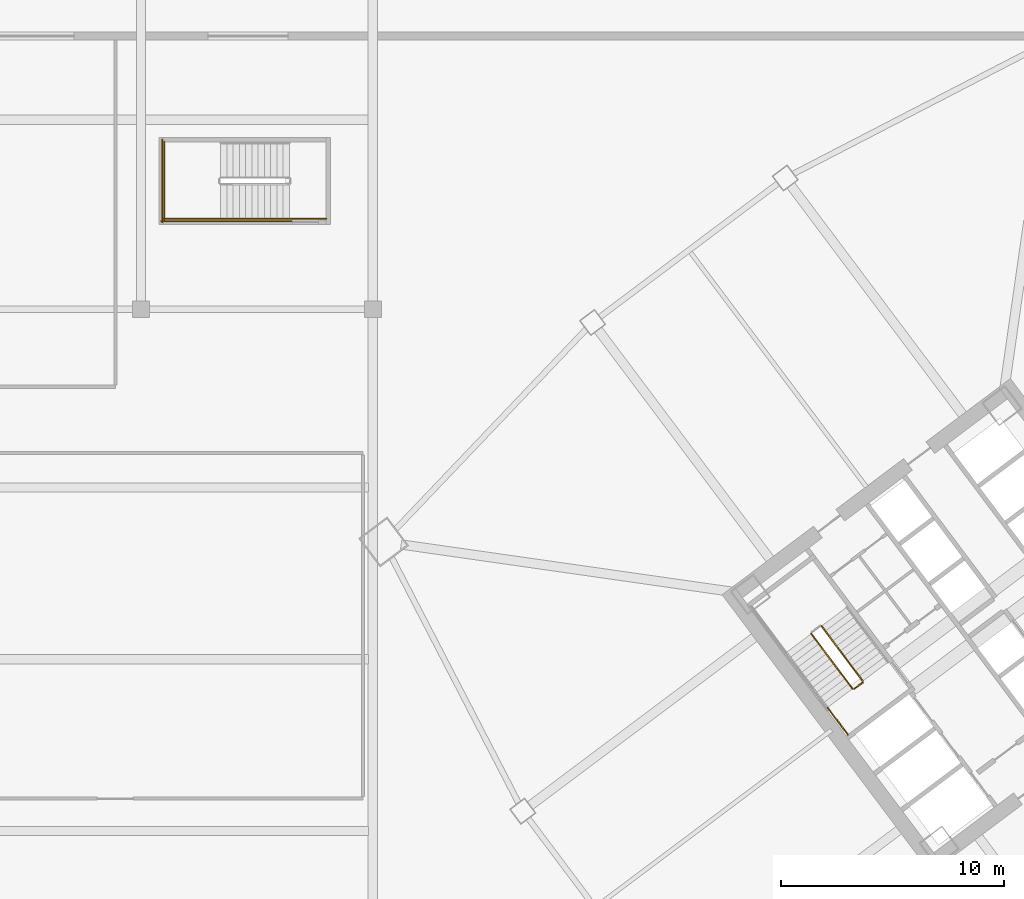
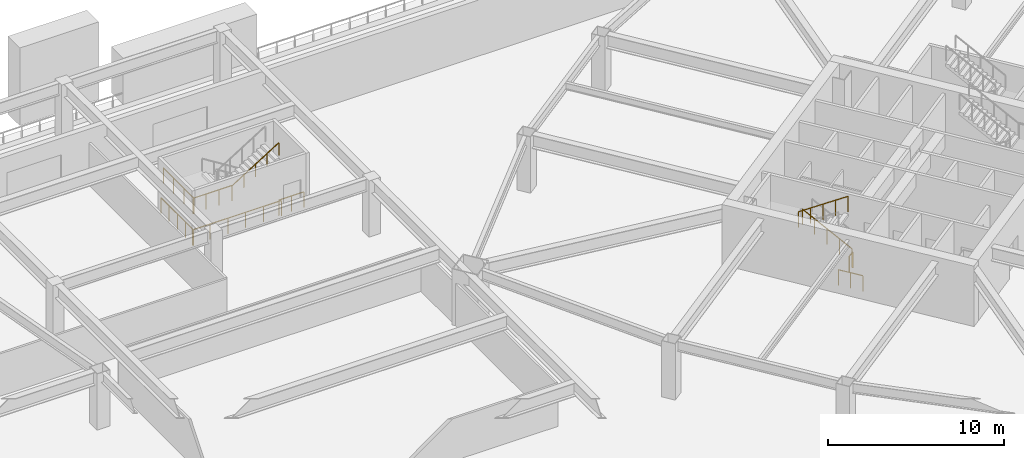
# One storey, part 17 of 20: 10 railings.
"""IFC4 building model written with IfcOpenShell, lengths in metres."""

from ifc_helpers import new_model, si_unit, direction, frame, origin, origin_2d, place, context, subcontext, project, spatial, rectangle, extrude, material, type_object, element, save


model = new_model("IFC4")

# Units and contexts
model_context = context("Model", 3, precision=1e-05, world=origin(), true_north=direction((0.0, 1.0)))
body_context = subcontext(model_context, "Body", "Model", "MODEL_VIEW")
ifc_project = project(units=[si_unit("LENGTHUNIT", "METRE"), si_unit("AREAUNIT", "SQUARE_METRE"), si_unit("VOLUMEUNIT", "CUBIC_METRE"), si_unit("PLANEANGLEUNIT", "RADIAN"), si_unit("MASSUNIT", "GRAM", prefix="KILO")], contexts=[model_context])

# Site, building, storey
site_placement = place(None, origin())
site = spatial("IfcSite", under=ifc_project, at=site_placement, CompositionType="ELEMENT")
building_placement = place(site_placement, origin())
building = spatial("IfcBuilding", under=site, at=building_placement, Name="Tashvorn Skyway Center", CompositionType="ELEMENT")
storey_placement = place(building_placement, frame((0.0, 0.0, 15.60009765625)))
storey = spatial("IfcBuildingStorey", under=building, at=storey_placement, Name="L03", CompositionType="ELEMENT", Elevation=15.60009765625)

# Railings
ifc_material_1 = material(Name="Brushed stainless steel 316", Category="steel")
railing_type_1 = type_object("IfcRailingType", Name="RAIL-HAND-920", PredefinedType="HANDRAIL", material=ifc_material_1)
railing_1_placement = place(storey_placement, frame((80.3701171875, 50.25, 2.27490234375)))
element("IfcRailing", 1, at=railing_1_placement, inside=storey, type_object=railing_type_1, Name="L03 ST-POD-2 stair handrail 2", PredefinedType="HANDRAIL", context=body_context, shape_type="SweptSolid", body=[
    extrude(rectangle(XDim=0.048095703125, YDim=0.048095703125, at=origin_2d()), frame((0.0, 0.0, 0.8759765625), z_axis=(0.847979421464, 0.0, 0.530029150871), x_axis=(0.0, 1.0, 0.0)), (0.0, 0.0, 1.0), 3.632080078125),
    extrude(rectangle(XDim=0.0419921875, YDim=0.0419921875, at=origin_2d()), origin(), (0.0, 0.0, 1.0), 0.851806640625),
    extrude(rectangle(XDim=0.0419921875, YDim=0.0419921875, at=origin_2d()), frame((0.77001953125, 0.0, 0.481201171875)), (0.0, 0.0, 1.0), 0.851806640625),
    extrude(rectangle(XDim=0.0419921875, YDim=0.0419921875, at=origin_2d()), frame((1.5400390625, 0.0, 0.96240234375)), (0.0, 0.0, 1.0), 0.851806640625),
    extrude(rectangle(XDim=0.0419921875, YDim=0.0419921875, at=origin_2d()), frame((2.309814453125, 0.0, 1.44384765625)), (0.0, 0.0, 1.0), 0.851806640625),
    extrude(rectangle(XDim=0.0419921875, YDim=0.0419921875, at=origin_2d()), frame((3.079833984375, 0.0, 1.925048828125)), (0.0, 0.0, 1.0), 0.851806640625),
])
ifc_material_2 = material(Name="Painted galvanized steel S355", Category="steel")
railing_type_2 = type_object("IfcRailingType", Name="RAIL-STGUARD-1100", PredefinedType="GUARDRAIL", material=ifc_material_2)
railing_2_placement = place(storey_placement, frame((109.16796875, 29.52587890625, 0.1748046875)))
element("IfcRailing", 2, at=railing_2_placement, inside=storey, type_object=railing_type_2, Name="L03 ST-T2-1 stair guard 1", PredefinedType="GUARDRAIL", context=body_context, shape_type="SweptSolid", body=[
    extrude(rectangle(XDim=0.048095703125, YDim=0.048095703125, at=origin_2d()), frame((0.0, 0.0, 1.076171875), z_axis=(-0.508764452144, 0.678419819724, 0.530004981524), x_axis=(-0.800028534741, -0.599961951794, 0.0)), (0.0, 0.0, 1.0), 3.632080078125),
    extrude(rectangle(XDim=0.0419921875, YDim=0.0419921875, at=origin_2d()), origin(), (0.0, 0.0, 1.0), 1.052001953125),
    extrude(rectangle(XDim=0.0419921875, YDim=0.0419921875, at=origin_2d()), frame((-0.4619140625, 0.615966796875, 0.481201171875)), (0.0, 0.0, 1.0), 1.052001953125),
    extrude(rectangle(XDim=0.0419921875, YDim=0.0419921875, at=origin_2d()), frame((-0.923828125, 1.23193359375, 0.96240234375)), (0.0, 0.0, 1.0), 1.052001953125),
    extrude(rectangle(XDim=0.0419921875, YDim=0.0419921875, at=origin_2d()), frame((-1.385986328125, 1.84814453125, 1.44384765625)), (0.0, 0.0, 1.0), 1.052001953125),
    extrude(rectangle(XDim=0.0419921875, YDim=0.0419921875, at=origin_2d()), frame((-1.847900390625, 2.464111328125, 1.925048828125)), (0.0, 0.0, 1.0), 1.052001953125),
])
railing_3_placement = place(storey_placement, frame((106.85595703125, 31.64208984375, 2.27490234375)))
element("IfcRailing", 3, at=railing_3_placement, inside=storey, type_object=railing_type_2, Name="L03 ST-T2-1 stair guard 4", PredefinedType="GUARDRAIL", context=body_context, shape_type="SweptSolid", body=[
    extrude(rectangle(XDim=0.048095703125, YDim=0.048095703125, at=origin_2d()), frame((0.0, 0.0, 1.076171875), z_axis=(0.508814267955, -0.678396619085, 0.529986856384), x_axis=(0.79999048847, 0.600012681831, 0.0)), (0.0, 0.0, 1.0), 3.63232421875),
    extrude(rectangle(XDim=0.0419921875, YDim=0.0419921875, at=origin_2d()), origin(), (0.0, 0.0, 1.0), 1.052001953125),
    extrude(rectangle(XDim=0.0419921875, YDim=0.0419921875, at=origin_2d()), frame((0.4619140625, -0.615966796875, 0.481201171875)), (0.0, 0.0, 1.0), 1.052001953125),
    extrude(rectangle(XDim=0.0419921875, YDim=0.0419921875, at=origin_2d()), frame((0.924072265625, -1.23193359375, 0.96240234375)), (0.0, 0.0, 1.0), 1.052001953125),
    extrude(rectangle(XDim=0.0419921875, YDim=0.0419921875, at=origin_2d()), frame((1.38623046875, -1.84814453125, 1.44384765625)), (0.0, 0.0, 1.0), 1.052001953125),
    extrude(rectangle(XDim=0.0419921875, YDim=0.0419921875, at=origin_2d()), frame((1.84814453125, -2.464111328125, 1.925048828125)), (0.0, 0.0, 1.0), 1.052001953125),
])
railing_4_placement = place(storey_placement, frame((109.157958984375, 29.4560546875, 0.0)))
element("IfcRailing", 4, at=railing_4_placement, inside=storey, type_object=railing_type_2, Name="L03 ST-T2-1 stair guard 5", PredefinedType="GUARDRAIL", context=body_context, shape_type="SweptSolid", body=[
    extrude(rectangle(XDim=0.048095703125, YDim=0.048095703125, at=origin_2d()), frame((0.0, 0.0, 1.076171875), z_axis=(-0.799938970639, -0.600081363861, 0.0), x_axis=(0.600081363861, -0.799938970639, 0.0)), (0.0, 0.0, 1.0), 0.47998046875),
    extrude(rectangle(XDim=0.0419921875, YDim=0.0419921875, at=origin_2d()), origin(), (0.0, 0.0, 1.0), 1.052001953125),
    extrude(rectangle(XDim=0.0419921875, YDim=0.0419921875, at=origin_2d()), frame((-0.384033203125, -0.2880859375, 0.0)), (0.0, 0.0, 1.0), 1.052001953125),
])
railing_5_placement = place(storey_placement, frame((108.49609375, 27.1220703125, 0.0)))
element("IfcRailing", 5, at=railing_5_placement, inside=storey, type_object=railing_type_2, Name="L03 ST-T2-1 stair guard 6", PredefinedType="GUARDRAIL", context=body_context, shape_type="SweptSolid", body=[
    extrude(rectangle(XDim=0.048095703125, YDim=0.048095703125, at=origin_2d()), frame((0.0, 0.0, 1.076171875), z_axis=(-0.600102796382, 0.799922892393, 0.0), x_axis=(-0.799922892393, -0.600102796382, 0.0)), (0.0, 0.0, 1.0), 1.52001953125),
    extrude(rectangle(XDim=0.0419921875, YDim=0.0419921875, at=origin_2d()), origin(), (0.0, 0.0, 1.0), 1.052001953125),
    extrude(rectangle(XDim=0.0419921875, YDim=0.0419921875, at=origin_2d()), frame((-0.4560546875, 0.60791015625, 0.0)), (0.0, 0.0, 1.0), 1.052001953125),
    extrude(rectangle(XDim=0.0419921875, YDim=0.0419921875, at=origin_2d()), frame((-0.912109375, 1.2158203125, 0.0)), (0.0, 0.0, 1.0), 1.052001953125),
])
railing_6_placement = place(storey_placement, frame((80.3701171875, 50.25, 2.099853515625)))
element("IfcRailing", 6, at=railing_6_placement, inside=storey, type_object=railing_type_2, Name="L03 ST-POD-2 stair guard 3", PredefinedType="GUARDRAIL", context=body_context, shape_type="SweptSolid", body=[
    extrude(rectangle(XDim=0.048095703125, YDim=0.048095703125, at=origin_2d()), frame((0.0, 0.0, 1.076171875), z_axis=(-1.0, 0.0, 0.0), x_axis=(0.0, -1.0, 0.0)), (0.0, 0.0, 1.0), 2.570068359375),
    extrude(rectangle(XDim=0.0419921875, YDim=0.0419921875, at=origin_2d()), origin(), (0.0, 0.0, 1.0), 1.052001953125),
    extrude(rectangle(XDim=0.0419921875, YDim=0.0419921875, at=origin_2d()), frame((-0.856689453125, 0.0, 0.0)), (0.0, 0.0, 1.0), 1.052001953125),
    extrude(rectangle(XDim=0.0419921875, YDim=0.0419921875, at=origin_2d()), frame((-1.71337890625, 0.0, 0.0)), (0.0, 0.0, 1.0), 1.052001953125),
    extrude(rectangle(XDim=0.0419921875, YDim=0.0419921875, at=origin_2d()), frame((-2.570068359375, 0.0, 0.0)), (0.0, 0.0, 1.0), 1.052001953125),
])
railing_7_placement = place(storey_placement, frame((77.85009765625, 53.699951171875, 2.099853515625)))
element("IfcRailing", 7, at=railing_7_placement, inside=storey, type_object=railing_type_2, Name="L03 ST-POD-2 stair guard 4", PredefinedType="GUARDRAIL", context=body_context, shape_type="SweptSolid", body=[
    extrude(rectangle(XDim=0.048095703125, YDim=0.048095703125, at=origin_2d()), frame((0.0, 0.0, 1.076171875), z_axis=(0.0, -1.0, 0.0), x_axis=(1.0, 0.0, 0.0)), (0.0, 0.0, 1.0), 3.5),
    extrude(rectangle(XDim=0.0419921875, YDim=0.0419921875, at=origin_2d()), origin(), (0.0, 0.0, 1.0), 1.052001953125),
    extrude(rectangle(XDim=0.0419921875, YDim=0.0419921875, at=origin_2d()), frame((0.0, -1.166748046875, 0.0)), (0.0, 0.0, 1.0), 1.052001953125),
    extrude(rectangle(XDim=0.0419921875, YDim=0.0419921875, at=origin_2d()), frame((0.0, -2.333251953125, 0.0)), (0.0, 0.0, 1.0), 1.052001953125),
    extrude(rectangle(XDim=0.0419921875, YDim=0.0419921875, at=origin_2d()), frame((0.0, -3.5, 0.0)), (0.0, 0.0, 1.0), 1.052001953125),
])
railing_8_placement = place(storey_placement, frame((85.10009765625, 50.25, 0.0)))
element("IfcRailing", 8, at=railing_8_placement, inside=storey, type_object=railing_type_2, Name="L03 ST-POD-2 stair guard 7", PredefinedType="GUARDRAIL", context=body_context, shape_type="SweptSolid", body=[
    extrude(rectangle(XDim=0.048095703125, YDim=0.048095703125, at=origin_2d()), frame((0.0, 0.0, 1.076171875), z_axis=(-1.0, 0.0, 0.0), x_axis=(0.0, -1.0, 0.0)), (0.0, 0.0, 1.0), 1.650146484375),
    extrude(rectangle(XDim=0.0419921875, YDim=0.0419921875, at=origin_2d()), origin(), (0.0, 0.0, 1.0), 1.052001953125),
    extrude(rectangle(XDim=0.0419921875, YDim=0.0419921875, at=origin_2d()), frame((-0.8251953125, 0.0, 0.0)), (0.0, 0.0, 1.0), 1.052001953125),
    extrude(rectangle(XDim=0.0419921875, YDim=0.0419921875, at=origin_2d()), frame((-1.650146484375, 0.0, 0.0)), (0.0, 0.0, 1.0), 1.052001953125),
])
railing_9_placement = place(storey_placement, frame((83.550048828125, 50.14990234375, 0.0)))
element("IfcRailing", 9, at=railing_9_placement, inside=storey, type_object=railing_type_2, Name="L03 ST-POD-2 stair guard 8", PredefinedType="GUARDRAIL", context=body_context, shape_type="SweptSolid", body=[
    extrude(rectangle(XDim=0.048095703125, YDim=0.048095703125, at=origin_2d()), frame((0.0, 0.0, 1.076171875), z_axis=(-1.0, 0.0, 0.0), x_axis=(0.0, -1.0, 0.0)), (0.0, 0.0, 1.0), 5.85009765625),
    extrude(rectangle(XDim=0.0419921875, YDim=0.0419921875, at=origin_2d()), origin(), (0.0, 0.0, 1.0), 1.052001953125),
    extrude(rectangle(XDim=0.0419921875, YDim=0.0419921875, at=origin_2d()), frame((-1.169921875, 0.0, 0.0)), (0.0, 0.0, 1.0), 1.052001953125),
    extrude(rectangle(XDim=0.0419921875, YDim=0.0419921875, at=origin_2d()), frame((-2.340087890625, 0.0, 0.0)), (0.0, 0.0, 1.0), 1.052001953125),
    extrude(rectangle(XDim=0.0419921875, YDim=0.0419921875, at=origin_2d()), frame((-3.510009765625, 0.0, 0.0)), (0.0, 0.0, 1.0), 1.052001953125),
    extrude(rectangle(XDim=0.0419921875, YDim=0.0419921875, at=origin_2d()), frame((-4.68017578125, 0.0, 0.0)), (0.0, 0.0, 1.0), 1.052001953125),
    extrude(rectangle(XDim=0.0419921875, YDim=0.0419921875, at=origin_2d()), frame((-5.85009765625, 0.0, 0.0)), (0.0, 0.0, 1.0), 1.052001953125),
])
railing_10_placement = place(storey_placement, frame((77.75, 53.800048828125, 0.0)))
element("IfcRailing", 10, at=railing_10_placement, inside=storey, type_object=railing_type_2, Name="L03 ST-POD-2 stair guard 9", PredefinedType="GUARDRAIL", context=body_context, shape_type="SweptSolid", body=[
    extrude(rectangle(XDim=0.048095703125, YDim=0.048095703125, at=origin_2d()), frame((0.0, 0.0, 1.076171875), z_axis=(0.0, -1.0, 0.0), x_axis=(1.0, 0.0, 0.0)), (0.0, 0.0, 1.0), 3.699951171875),
    extrude(rectangle(XDim=0.0419921875, YDim=0.0419921875, at=origin_2d()), origin(), (0.0, 0.0, 1.0), 1.052001953125),
    extrude(rectangle(XDim=0.0419921875, YDim=0.0419921875, at=origin_2d()), frame((0.0, -0.925048828125, 0.0)), (0.0, 0.0, 1.0), 1.052001953125),
    extrude(rectangle(XDim=0.0419921875, YDim=0.0419921875, at=origin_2d()), frame((0.0, -1.85009765625, 0.0)), (0.0, 0.0, 1.0), 1.052001953125),
    extrude(rectangle(XDim=0.0419921875, YDim=0.0419921875, at=origin_2d()), frame((0.0, -2.77490234375, 0.0)), (0.0, 0.0, 1.0), 1.052001953125),
    extrude(rectangle(XDim=0.0419921875, YDim=0.0419921875, at=origin_2d()), frame((0.0, -3.699951171875, 0.0)), (0.0, 0.0, 1.0), 1.052001953125),
])

save(model, "model.ifc")
